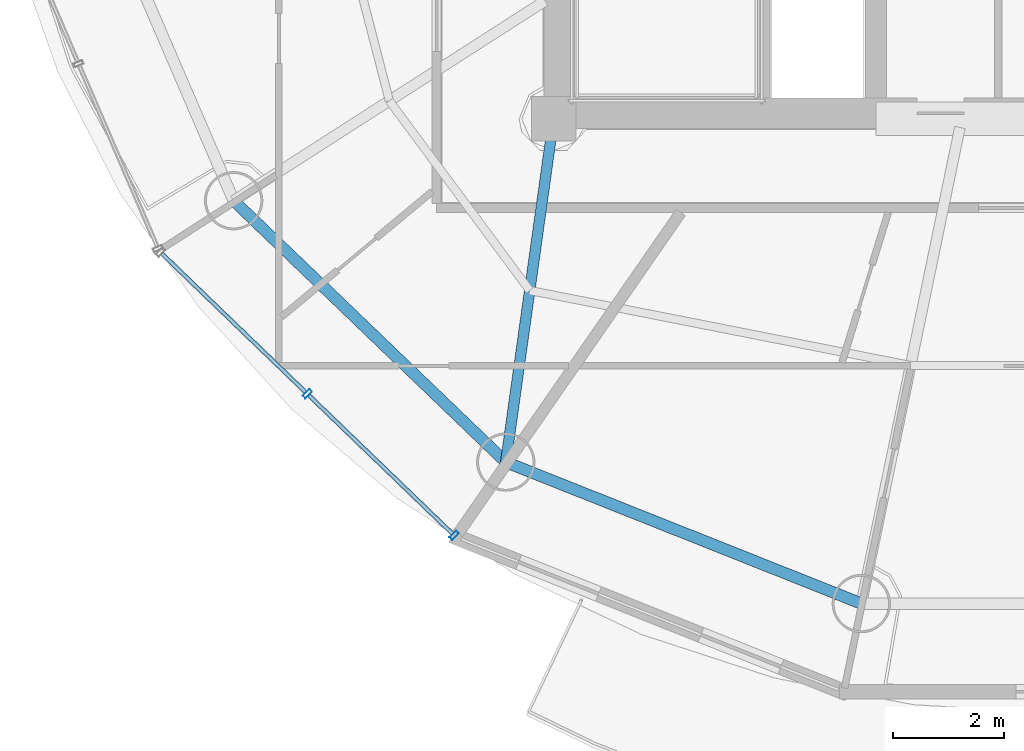
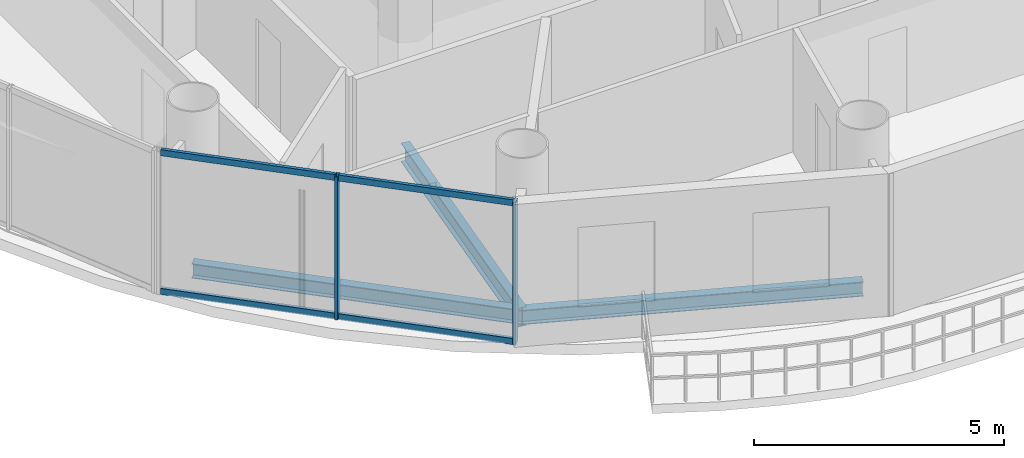
# One storey, part 2 of 24: 6 members, 3 beams, 1 element without a shape of its own.
"""IFC4 building model written with IfcOpenShell, lengths in metres."""

from ifc_helpers import new_model, si_unit, direction, frame, origin, origin_2d, place, context, subcontext, project, spatial, hollow_rectangle, i_section, extrude, source, transform, mapped, material, material_profile, profile_set, type_object, element, aggregate, save


model = new_model("IFC4")

# Units and contexts
model_context = context("Model", 3, precision=1e-05, world=origin(), true_north=direction((-0.2419218956, 0.970295726276)))
body_context = subcontext(model_context, "Body", "Model", "MODEL_VIEW")
ifc_project = project(units=[si_unit("LENGTHUNIT", "METRE"), si_unit("AREAUNIT", "SQUARE_METRE"), si_unit("VOLUMEUNIT", "CUBIC_METRE"), si_unit("PLANEANGLEUNIT", "RADIAN"), si_unit("MASSUNIT", "GRAM", prefix="KILO")], contexts=[model_context])

# Site, building, storey
site_placement = place(None, origin())
site = spatial("IfcSite", under=ifc_project, at=site_placement, CompositionType="ELEMENT")
building_placement = place(site_placement, origin())
building = spatial("IfcBuilding", under=site, at=building_placement, Name="Cobrevalo Terracotta Tower", CompositionType="ELEMENT")
storey_placement = place(building_placement, frame((0.0, 0.0, 270.699951171875)))
storey = spatial("IfcBuildingStorey", under=building, at=storey_placement, Name="L71", CompositionType="ELEMENT", Elevation=270.699951171875)

# Beams
ifc_material_1 = material(Name="Steel S355", Category="steel")
ifc_material_profile_1 = material_profile(ifc_material_1, i_section(OverallWidth=0.19091796875, OverallDepth=0.4599609375, WebThickness=0.010009765625, FlangeThickness=0.01611328125, at=origin_2d()), Name="W 460x82")
ifc_profile_set_1 = profile_set([ifc_material_profile_1], Name="Steel S355")
beam_type_1 = type_object("IfcBeamType", Name="Structural Beam W 460x82 (Steel S355)", PredefinedType="BEAM", material=ifc_profile_set_1)
beam_1_placement = place(storey_placement, frame((28.138671875, 12.62353515625, -0.489990234375), z_axis=(0.138115657759, 0.990416107039, 0.0), x_axis=(-0.990416107039, 0.138115657759, 0.0)))
element("IfcBeam", 1, at=beam_1_placement, inside=storey, type_object=beam_type_1, Name="L71 radial floor girder 11", PredefinedType="BEAM", context=body_context, shape_type="SweptSolid", body=[
    extrude(i_section(OverallWidth=0.19091796875, OverallDepth=0.4599609375, WebThickness=0.010009765625, FlangeThickness=0.01611328125, at=origin_2d()), origin(), (0.0, 0.0, 1.0), 6.236328125),
])
ifc_material_profile_2 = material_profile(ifc_material_1, i_section(OverallWidth=0.205078125, OverallDepth=0.35400390625, WebThickness=0.009521484375, FlangeThickness=0.016845703125, at=origin_2d()), Name="W 360x79")
ifc_profile_set_2 = profile_set([ifc_material_profile_2], Name="Steel S355")
beam_type_2 = type_object("IfcBeamType", Name="Structural Spandrel W 360x79 (Steel S355)", PredefinedType="SPANDREL", material=ifc_profile_set_2)
beam_2_placement = place(storey_placement, frame((23.241455078125, 17.32763671875, -0.43701171875), z_axis=(0.721183246144, -0.692744343522, 0.0), x_axis=(0.692744343522, 0.721183246144, 0.0)))
element("IfcBeam", 2, at=beam_2_placement, inside=storey, type_object=beam_type_2, Name="L71 perimeter ring spandrel 10", PredefinedType="SPANDREL", context=body_context, shape_type="SweptSolid", body=[
    extrude(i_section(OverallWidth=0.205078125, OverallDepth=0.35400390625, WebThickness=0.009521484375, FlangeThickness=0.016845703125, at=origin_2d()), origin(), (0.0, 0.0, 1.0), 6.79052734375),
])
beam_3_placement = place(storey_placement, frame((28.138671875, 12.62353515625, -0.43701171875), z_axis=(0.929149986048, -0.369702993533, 0.0), x_axis=(0.369702993533, 0.929149986048, 0.0)))
element("IfcBeam", 3, at=beam_3_placement, inside=storey, type_object=beam_type_2, Name="L71 perimeter ring spandrel 11", PredefinedType="SPANDREL", context=body_context, shape_type="SweptSolid", body=[
    extrude(i_section(OverallWidth=0.205078125, OverallDepth=0.35400390625, WebThickness=0.009521484375, FlangeThickness=0.016845703125, at=origin_2d()), origin(), (0.0, 0.0, 1.0), 6.88623046875),
])

# Curtain wall, members
ifc_material_2 = material(Name="Anodized aluminium", Category="aluminium")
curtain_wall_type = type_object("IfcCurtainWallType", Name="Upper-tower triple-glazed penthouse curtain wall CW-U3", PredefinedType="NOTDEFINED", material=ifc_material_2)
curtain_wall_placement = place(storey_placement, origin())
curtain_wall = element("IfcCurtainWall", 4, at=curtain_wall_placement, inside=storey, type_object=curtain_wall_type, Name="L71 curtain wall CW-L71-S10", PredefinedType="NOTDEFINED")
ifc_material_profile_3 = material_profile(ifc_material_2, hollow_rectangle(XDim=0.070068359375, YDim=0.169921875, WallThickness=0.00439453125, at=origin_2d()), Name="CWM 70x170")
ifc_profile_set_3 = profile_set([ifc_material_profile_3], Name="Anodized aluminium")
member_type_1 = type_object("IfcMemberType", Name="Upper tower unitised mullion 70x170", PredefinedType="MULLION", material=ifc_profile_set_3)
shared_shape_1 = source(origin(), body_context, "Body", "SweptSolid", [
    extrude(hollow_rectangle(XDim=0.070068359375, YDim=0.169921875, WallThickness=0.00439453125, at=origin_2d()), origin(), (0.0, 0.0, 1.0), 3.489990234375),
])
member_1_placement = place(storey_placement, frame((24.56640625, 13.85205078125, 0.0), z_axis=(0.0, 0.0, 1.0), x_axis=(0.71999418085, -0.69398010025, 0.0)))
member_1 = element("IfcMember", 5, at=member_1_placement, type_object=member_type_1, Name="CW-L71-S10 vertical mullion 02", PredefinedType="MULLION", context=body_context, shape_type="MappedRepresentation", body=[
    mapped(shared_shape_1, transform((0.0, 0.0, 0.0), scale=1.0)),
])
member_2_placement = place(storey_placement, frame((27.209716796875, 11.30419921875, 0.0), z_axis=(0.0, 0.0, 1.0), x_axis=(0.71999418085, -0.69398010025, 0.0)))
member_2 = element("IfcMember", 6, at=member_2_placement, type_object=member_type_1, Name="CW-L71-S10 vertical mullion 03", PredefinedType="MULLION", context=body_context, shape_type="MappedRepresentation", body=[
    mapped(shared_shape_1, transform((0.0, 0.0, 0.0), scale=1.0)),
])
ifc_material_profile_4 = material_profile(ifc_material_2, hollow_rectangle(XDim=0.074951171875, YDim=0.14990234375, WallThickness=0.00439453125, at=origin_2d()), Name="CWT 75x150")
ifc_profile_set_4 = profile_set([ifc_material_profile_4], Name="Anodized aluminium")
member_type_2 = type_object("IfcMemberType", Name="Tower unitised aluminium transom 75x150", PredefinedType="USERDEFINED", material=ifc_profile_set_4)
shared_shape_2 = source(origin(), body_context, "Body", "SweptSolid", [
    extrude(hollow_rectangle(XDim=0.074951171875, YDim=0.14990234375, WallThickness=0.00439453125, at=origin_2d()), origin(), (0.0, 0.0, 1.0), 3.59130859375),
])
member_3_placement = place(storey_placement, frame((21.9521484375, 16.3720703125, 0.050048828125), z_axis=(0.719971660756, -0.694003463758, 0.0), x_axis=(0.694003463758, 0.719971660756, 0.0)))
member_3 = element("IfcMember", 7, at=member_3_placement, type_object=member_type_2, Name="CW-L71-S10 transom B01-T1", ObjectType="TRANSOM", PredefinedType="USERDEFINED", context=body_context, shape_type="MappedRepresentation", body=[
    mapped(shared_shape_2, transform((0.0, 0.0, 0.0), scale=1.0)),
])
member_4_placement = place(storey_placement, frame((21.9521484375, 16.3720703125, 3.43994140625), z_axis=(0.719971660756, -0.694003463758, 0.0), x_axis=(0.694003463758, 0.719971660756, 0.0)))
member_4 = element("IfcMember", 8, at=member_4_placement, type_object=member_type_2, Name="CW-L71-S10 transom B01-T2", ObjectType="TRANSOM", PredefinedType="USERDEFINED", context=body_context, shape_type="MappedRepresentation", body=[
    mapped(shared_shape_2, transform((0.0, 0.0, 0.0), scale=1.0)),
])
member_5_placement = place(storey_placement, frame((24.59521484375, 13.82421875, 0.050048828125), z_axis=(0.720005628362, -0.693968223427, 0.0), x_axis=(0.693968223427, 0.720005628362, 0.0)))
member_5 = element("IfcMember", 9, at=member_5_placement, type_object=member_type_2, Name="CW-L71-S10 transom B02-T1", ObjectType="TRANSOM", PredefinedType="USERDEFINED", context=body_context, shape_type="MappedRepresentation", body=[
    mapped(shared_shape_2, transform((0.0, 0.0, 0.0), scale=1.0)),
])
member_6_placement = place(storey_placement, frame((24.59521484375, 13.82421875, 3.43994140625), z_axis=(0.720005628362, -0.693968223427, 0.0), x_axis=(0.693968223427, 0.720005628362, 0.0)))
member_6 = element("IfcMember", 10, at=member_6_placement, type_object=member_type_2, Name="CW-L71-S10 transom B02-T2", ObjectType="TRANSOM", PredefinedType="USERDEFINED", context=body_context, shape_type="MappedRepresentation", body=[
    mapped(shared_shape_2, transform((0.0, 0.0, 0.0), scale=1.0)),
])
aggregate(curtain_wall, [member_1, member_2, member_3, member_4, member_5, member_6])

save(model, "model.ifc")
